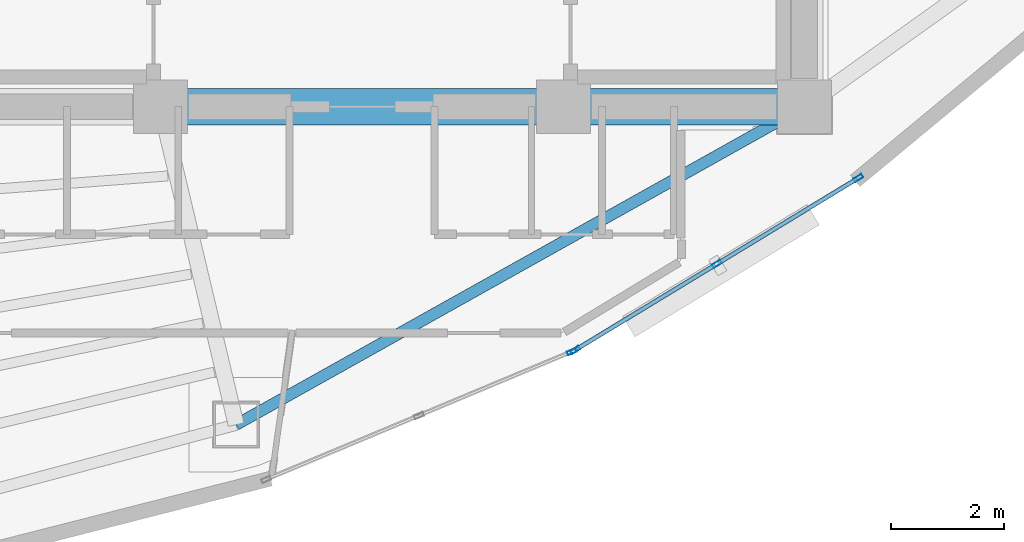
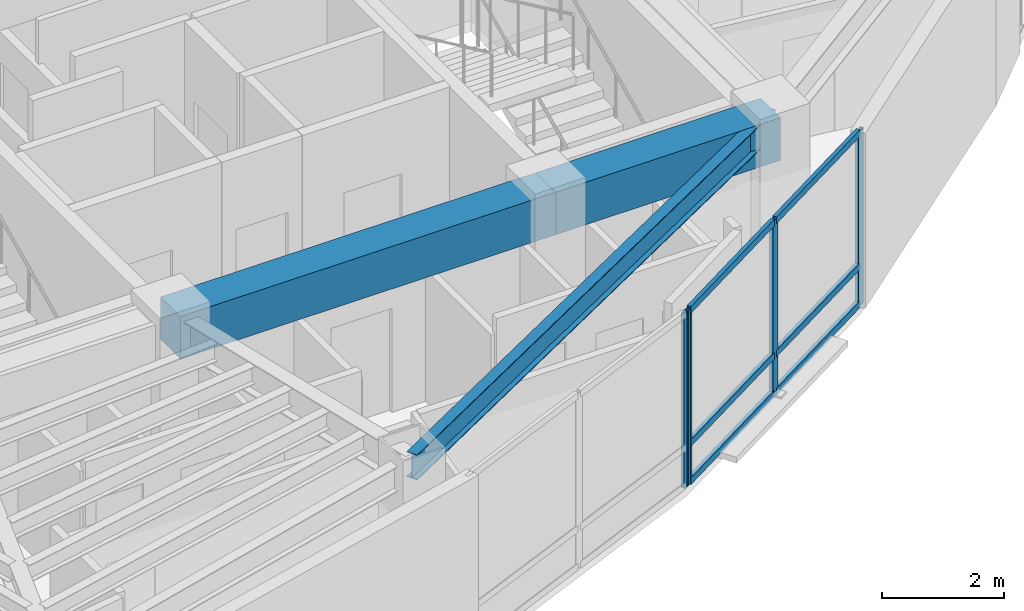
# One storey, part 5 of 15: 10 members, 3 beams, 2 elements without a shape of their own.
"""IFC4 building model written with IfcOpenShell, lengths in metres."""

from ifc_helpers import new_model, si_unit, direction, frame, origin, origin_2d, place, context, subcontext, project, spatial, rectangle, hollow_rectangle, i_section, extrude, material, layer, layer_set, material_profile, profile_set, type_object, element, aggregate, save


model = new_model("IFC4")

# Units and contexts
model_context = context("Model", 3, precision=1e-05, world=origin(), true_north=direction((0.0, 1.0)))
body_context = subcontext(model_context, "Body", "Model", "MODEL_VIEW")
ifc_project = project(units=[si_unit("LENGTHUNIT", "METRE"), si_unit("AREAUNIT", "SQUARE_METRE"), si_unit("VOLUMEUNIT", "CUBIC_METRE"), si_unit("PLANEANGLEUNIT", "RADIAN"), si_unit("MASSUNIT", "GRAM", prefix="KILO")], contexts=[model_context])

# Site, building, storey
site_placement = place(None, origin())
site = spatial("IfcSite", under=ifc_project, at=site_placement, CompositionType="ELEMENT")
building_placement = place(site_placement, origin())
building = spatial("IfcBuilding", under=site, at=building_placement, Name="Menara Vayukalpa", CompositionType="ELEMENT")
storey_placement = place(building_placement, frame((0.0, 0.0, 288.06005859375)))
storey = spatial("IfcBuildingStorey", under=building, at=storey_placement, Name="L73", CompositionType="ELEMENT", Elevation=288.06005859375)

# Beams
ifc_material_1 = material(Name="Concrete C60/75", Category="concrete")
ifc_material_profile_1 = material_profile(ifc_material_1, rectangle(XDim=0.64990234375, YDim=0.85009765625, at=origin_2d()), Name="RC 650x850")
ifc_profile_set_1 = profile_set([ifc_material_profile_1], Name="Concrete C60/75")
beam_type_1 = type_object("IfcBeamType", Name="BM-CB1", PredefinedType="BEAM", material=ifc_profile_set_1)
beam_1_placement = place(storey_placement, frame((22.050048828125, 17.199951171875, 3.074951171875), z_axis=(1.0, 0.0, 0.0), x_axis=(0.0, 1.0, 0.0)))
element("IfcBeam", 1, at=beam_1_placement, inside=storey, type_object=beam_type_1, Name="L73 Core Tie Beam CBR2", PredefinedType="BEAM", context=body_context, shape_type="SweptSolid", body=[
    extrude(rectangle(XDim=0.64990234375, YDim=0.85009765625, at=origin_2d()), origin(), (0.0, 0.0, 1.0), 7.099853515625),
])
beam_2_placement = place(storey_placement, frame((29.14990234375, 17.199951171875, 3.074951171875), z_axis=(1.0, 0.0, 0.0), x_axis=(0.0, 1.0, 0.0)))
element("IfcBeam", 2, at=beam_2_placement, inside=storey, type_object=beam_type_1, Name="L73 Core Tie Beam CBR3", PredefinedType="BEAM", context=body_context, shape_type="SweptSolid", body=[
    extrude(rectangle(XDim=0.64990234375, YDim=0.85009765625, at=origin_2d()), origin(), (0.0, 0.0, 1.0), 4.25),
])
ifc_material_2 = material(Name="Steel S355", Category="steel")
ifc_material_profile_2 = material_profile(ifc_material_2, i_section(OverallWidth=0.199951171875, OverallDepth=0.5, WebThickness=0.010009765625, FlangeThickness=0.01611328125, at=origin_2d()), Name="WF 500x200x10x16")
ifc_profile_set_2 = profile_set([ifc_material_profile_2], Name="Steel S355")
beam_type_2 = type_object("IfcBeamType", Name="BM-SP3", PredefinedType="SPANDREL", material=ifc_profile_set_2)
beam_3_placement = place(storey_placement, frame((23.3818359375, 11.59521484375, 3.25), z_axis=(0.87270577288, 0.48824648896, 0.0), x_axis=(-0.48824648896, 0.87270577288, 0.0)))
element("IfcBeam", 3, at=beam_3_placement, inside=storey, type_object=beam_type_2, Name="L73 Perimeter Spandrel Beam SP08", PredefinedType="SPANDREL", context=body_context, shape_type="SweptSolid", body=[
    extrude(i_section(OverallWidth=0.199951171875, OverallDepth=0.5, WebThickness=0.010009765625, FlangeThickness=0.01611328125, at=origin_2d()), origin(), (0.0, 0.0, 1.0), 11.479248046875),
])

# Curtain wall, member
ifc_material_3 = material(Name="Anodised Terracotta Aluminium Alloy 6063-T6", Category="masonry")
ifc_layer = layer(ifc_material_3, 0.1650390625)
ifc_layer_set = layer_set([ifc_layer], Name="Anodised Terracotta Aluminium Alloy 6063-T6")
curtain_wall_type = type_object("IfcCurtainWallType", Name="CW-CW6", PredefinedType="USERDEFINED", material=ifc_layer_set)
curtain_wall_1_placement = place(storey_placement, origin())
curtain_wall_1 = element("IfcCurtainWall", 4, at=curtain_wall_1_placement, inside=storey, type_object=curtain_wall_type, Name="L73 Observation and Executive Curtain Wall CW6 16", ObjectType="UNITISED", PredefinedType="USERDEFINED")
ifc_material_4 = material(Name="Anodised Terracotta Aluminium Alloy 6063-T6", Category="masonry")
ifc_material_profile_3 = material_profile(ifc_material_4, hollow_rectangle(XDim=0.070068359375, YDim=0.1650390625, WallThickness=0.00390625, at=origin_2d()), Name="ALU 70x165x4")
ifc_profile_set_3 = profile_set([ifc_material_profile_3], Name="Anodised Terracotta Aluminium Alloy 6063-T6")
member_type_1 = type_object("IfcMemberType", Name="CWM-CW6", PredefinedType="MULLION", material=ifc_profile_set_3)
member_1_placement = place(storey_placement, frame((29.298828125, 12.881103515625, 0.0), z_axis=(0.0, 0.0, 1.0), x_axis=(-0.385899911703, 0.922540653927, 0.0)))
member_1 = element("IfcMember", 5, at=member_1_placement, type_object=member_type_1, Name="CW6 mullion 3", PredefinedType="MULLION", context=body_context, shape_type="SweptSolid", body=[
    extrude(hollow_rectangle(XDim=0.070068359375, YDim=0.1650390625, WallThickness=0.00390625, at=origin_2d()), origin(), (0.0, 0.0, 1.0), 3.5),
])
aggregate(curtain_wall_1, [member_1])

# Curtain wall, members
curtain_wall_2_placement = place(storey_placement, origin())
curtain_wall_2 = element("IfcCurtainWall", 6, at=curtain_wall_2_placement, inside=storey, type_object=curtain_wall_type, Name="L73 Observation and Executive Curtain Wall CW6 17", ObjectType="UNITISED", PredefinedType="USERDEFINED")
member_2_placement = place(storey_placement, frame((29.36083984375, 12.912841796875, 0.0), z_axis=(0.0, 0.0, 1.0), x_axis=(-0.519175574558, 0.854667609532, 0.0)))
member_2 = element("IfcMember", 7, at=member_2_placement, type_object=member_type_1, Name="CW6 mullion 1", PredefinedType="MULLION", context=body_context, shape_type="SweptSolid", body=[
    extrude(hollow_rectangle(XDim=0.070068359375, YDim=0.1650390625, WallThickness=0.00390625, at=origin_2d()), origin(), (0.0, 0.0, 1.0), 3.5),
])
member_3_placement = place(storey_placement, frame((31.85546875, 14.42822265625, 0.0), z_axis=(0.0, 0.0, 1.0), x_axis=(-0.519175574558, 0.854667609532, 0.0)))
member_3 = element("IfcMember", 8, at=member_3_placement, type_object=member_type_1, Name="CW6 mullion 2", PredefinedType="MULLION", context=body_context, shape_type="SweptSolid", body=[
    extrude(hollow_rectangle(XDim=0.070068359375, YDim=0.1650390625, WallThickness=0.00390625, at=origin_2d()), origin(), (0.0, 0.0, 1.0), 3.5),
])
member_4_placement = place(storey_placement, frame((34.35009765625, 15.943603515625, 0.0), z_axis=(0.0, 0.0, 1.0), x_axis=(-0.519175574558, 0.854667609532, 0.0)))
member_4 = element("IfcMember", 9, at=member_4_placement, type_object=member_type_1, Name="CW6 mullion 3", PredefinedType="MULLION", context=body_context, shape_type="SweptSolid", body=[
    extrude(hollow_rectangle(XDim=0.070068359375, YDim=0.1650390625, WallThickness=0.00390625, at=origin_2d()), origin(), (0.0, 0.0, 1.0), 3.5),
])
ifc_material_5 = material(Name="Anodised Terracotta Aluminium Alloy 6063-T6", Category="masonry")
ifc_material_profile_4 = material_profile(ifc_material_5, hollow_rectangle(XDim=0.074951171875, YDim=0.135009765625, WallThickness=0.00390625, at=origin_2d()), Name="ALU 75x135x4")
ifc_profile_set_4 = profile_set([ifc_material_profile_4], Name="Anodised Terracotta Aluminium Alloy 6063-T6")
member_type_2 = type_object("IfcMemberType", Name="CWT-CW6", PredefinedType="USERDEFINED", material=ifc_profile_set_4)
member_5_placement = place(storey_placement, frame((29.390869140625, 12.93115234375, 0.037353515625), z_axis=(0.854689729536, 0.519139158825, 0.0), x_axis=(-0.519139158825, 0.854689729536, 0.0)))
member_5 = element("IfcMember", 10, at=member_5_placement, type_object=member_type_2, Name="CW6 transom 1.1", ObjectType="TRANSOM", PredefinedType="USERDEFINED", context=body_context, shape_type="SweptSolid", body=[
    extrude(hollow_rectangle(XDim=0.074951171875, YDim=0.135009765625, WallThickness=0.00390625, at=origin_2d()), origin(), (0.0, 0.0, 1.0), 2.848388671875),
])
member_6_placement = place(storey_placement, frame((29.390869140625, 12.93115234375, 0.800048828125), z_axis=(0.854689729536, 0.519139158825, 0.0), x_axis=(-0.519139158825, 0.854689729536, 0.0)))
member_6 = element("IfcMember", 11, at=member_6_placement, type_object=member_type_2, Name="CW6 transom 1.2", ObjectType="TRANSOM", PredefinedType="USERDEFINED", context=body_context, shape_type="SweptSolid", body=[
    extrude(hollow_rectangle(XDim=0.074951171875, YDim=0.135009765625, WallThickness=0.00390625, at=origin_2d()), origin(), (0.0, 0.0, 1.0), 2.848388671875),
])
member_7_placement = place(storey_placement, frame((29.390869140625, 12.93115234375, 3.46240234375), z_axis=(0.854689729536, 0.519139158825, 0.0), x_axis=(-0.519139158825, 0.854689729536, 0.0)))
member_7 = element("IfcMember", 12, at=member_7_placement, type_object=member_type_2, Name="CW6 transom 1.3", ObjectType="TRANSOM", PredefinedType="USERDEFINED", context=body_context, shape_type="SweptSolid", body=[
    extrude(hollow_rectangle(XDim=0.074951171875, YDim=0.135009765625, WallThickness=0.00390625, at=origin_2d()), origin(), (0.0, 0.0, 1.0), 2.848388671875),
])
member_8_placement = place(storey_placement, frame((31.88525390625, 14.4462890625, 0.037353515625), z_axis=(0.854674800659, 0.519163736328, 0.0), x_axis=(-0.519163736328, 0.85467480066, 0.0)))
member_8 = element("IfcMember", 13, at=member_8_placement, type_object=member_type_2, Name="CW6 transom 2.1", ObjectType="TRANSOM", PredefinedType="USERDEFINED", context=body_context, shape_type="SweptSolid", body=[
    extrude(hollow_rectangle(XDim=0.074951171875, YDim=0.135009765625, WallThickness=0.00390625, at=origin_2d()), origin(), (0.0, 0.0, 1.0), 2.848876953125),
])
member_9_placement = place(storey_placement, frame((31.88525390625, 14.4462890625, 0.800048828125), z_axis=(0.854674800659, 0.519163736328, 0.0), x_axis=(-0.519163736328, 0.85467480066, 0.0)))
member_9 = element("IfcMember", 14, at=member_9_placement, type_object=member_type_2, Name="CW6 transom 2.2", ObjectType="TRANSOM", PredefinedType="USERDEFINED", context=body_context, shape_type="SweptSolid", body=[
    extrude(hollow_rectangle(XDim=0.074951171875, YDim=0.135009765625, WallThickness=0.00390625, at=origin_2d()), origin(), (0.0, 0.0, 1.0), 2.848876953125),
])
member_10_placement = place(storey_placement, frame((31.88525390625, 14.4462890625, 3.46240234375), z_axis=(0.854674800659, 0.519163736328, 0.0), x_axis=(-0.519163736328, 0.85467480066, 0.0)))
member_10 = element("IfcMember", 15, at=member_10_placement, type_object=member_type_2, Name="CW6 transom 2.3", ObjectType="TRANSOM", PredefinedType="USERDEFINED", context=body_context, shape_type="SweptSolid", body=[
    extrude(hollow_rectangle(XDim=0.074951171875, YDim=0.135009765625, WallThickness=0.00390625, at=origin_2d()), origin(), (0.0, 0.0, 1.0), 2.848876953125),
])
aggregate(curtain_wall_2, [member_2, member_3, member_4, member_5, member_6, member_7, member_8, member_9, member_10])

save(model, "model.ifc")
